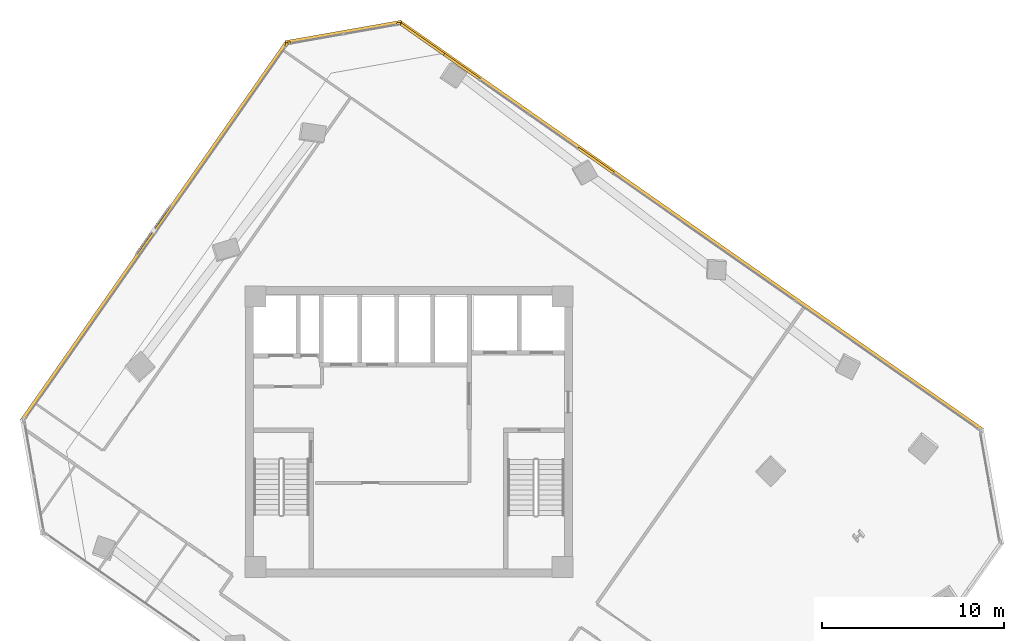
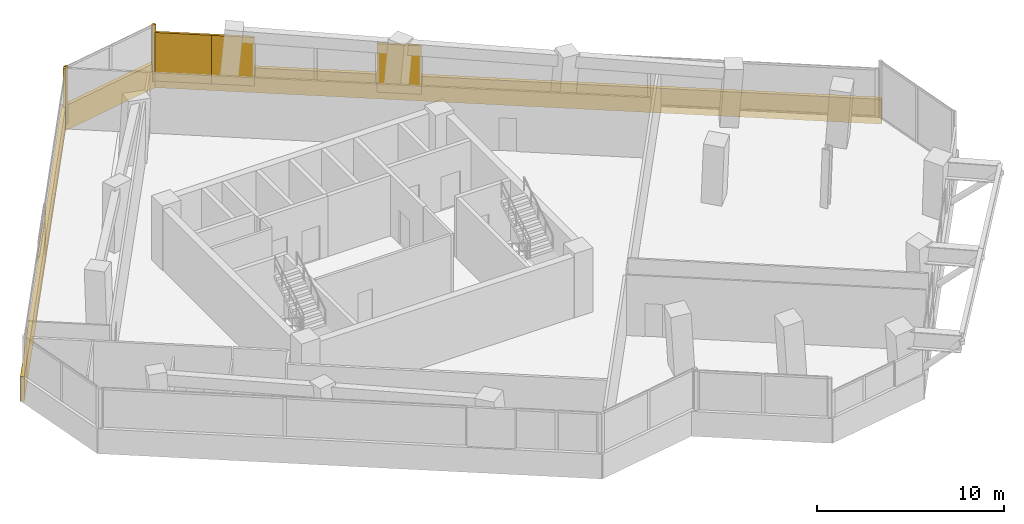
# One storey, part 21 of 21: 9 coverings, 1 shading device.
"""IFC4 building model written with IfcOpenShell, lengths in metres."""

from ifc_helpers import new_model, si_unit, direction, frame, origin, origin_2d, place, context, subcontext, project, spatial, rectangle, extrude, source, transform, mapped, material, layer, layer_set, type_object, element, save


model = new_model("IFC4")

# Units and contexts
model_context = context("Model", 3, precision=1e-05, world=origin(), true_north=direction((0.0, 1.0)))
body_context = subcontext(model_context, "Body", "Model", "MODEL_VIEW")
ifc_project = project(units=[si_unit("LENGTHUNIT", "METRE"), si_unit("AREAUNIT", "SQUARE_METRE"), si_unit("VOLUMEUNIT", "CUBIC_METRE"), si_unit("PLANEANGLEUNIT", "RADIAN"), si_unit("MASSUNIT", "GRAM", prefix="KILO")], contexts=[model_context])

# Site, building, storey
site_placement = place(None, origin())
site = spatial("IfcSite", under=ifc_project, at=site_placement, CompositionType="ELEMENT")
building_placement = place(site_placement, origin())
building = spatial("IfcBuilding", under=site, at=building_placement, Name="Torre Montelarca", CompositionType="ELEMENT")
storey_placement = place(building_placement, frame((0.0, 0.0, 200.199951171875)))
storey = spatial("IfcBuildingStorey", under=building, at=storey_placement, Name="L45", CompositionType="ELEMENT", Elevation=200.199951171875)

# Coverings
ifc_material_1 = material(Name="Bush-hammered warm white precast concrete C45/55", Category="concrete")
ifc_layer_1 = layer(ifc_material_1, 0.139892578125, Name="Bush-hammered warm white precast concrete C45/55", Category="concrete")
ifc_layer_set_1 = layer_set([ifc_layer_1], Name="Bush-hammered warm white precast concrete C45/55")
covering_type = type_object("IfcCoveringType", Name="COV-TRAY-CLAD", PredefinedType="CLADDING", material=ifc_layer_set_1)
shared_shape_1 = source(origin(), body_context, "Body", "SweptSolid", [
    extrude(rectangle(XDim=6.48388671875, YDim=0.219970703125, at=origin_2d()), origin(), (0.0, 0.0, 1.0), 1.6201171875),
])
covering_1_placement = place(storey_placement, frame((14.393310546875, 53.97998046875, -0.449951171875), z_axis=(0.0, 0.0, 1.0), x_axis=(-0.984807449937, -0.17364989648, 0.0)))
element("IfcCovering", 1, at=covering_1_placement, inside=storey, type_object=covering_type, Name="L45 Architectural White Spandrel Tray Band TRYBOT-09", PredefinedType="CLADDING", context=body_context, shape_type="MappedRepresentation", body=[
    mapped(shared_shape_1, transform((0.0, 0.0, 0.0), scale=1.0)),
])
shared_shape_2 = source(origin(), body_context, "Body", "SweptSolid", [
    extrude(rectangle(XDim=25.52001953125, YDim=0.219970703125, at=origin_2d()), origin(), (0.0, 0.0, 1.0), 1.6201171875),
])
covering_2_placement = place(storey_placement, frame((3.99462890625, 43.03662109375, -0.449951171875), z_axis=(0.0, 0.0, 1.0), x_axis=(-0.57357500666, -0.819153045367, 0.0)))
element("IfcCovering", 2, at=covering_2_placement, inside=storey, type_object=covering_type, Name="L45 Architectural White Spandrel Tray Band TRYBOT-10", PredefinedType="CLADDING", context=body_context, shape_type="MappedRepresentation", body=[
    mapped(shared_shape_2, transform((0.0, 0.0, 0.0), scale=1.0)),
])

# Shading device
ifc_material_2 = material(Name="Architectural perforated terracotta ceramic", Category="masonry")
ifc_layer_2 = layer(ifc_material_2, 0.080078125, Name="Architectural perforated terracotta ceramic", Category="masonry")
ifc_layer_set_2 = layer_set([ifc_layer_2], Name="Architectural perforated terracotta ceramic")
shading_device_type = type_object("IfcShadingDeviceType", Name="SHD-JALOUSIE-1", PredefinedType="JALOUSIE", material=ifc_layer_set_2)
shared_shape_3 = source(origin(), body_context, "Body", "SweptSolid", [
    extrude(rectangle(XDim=3.199951171875, YDim=0.10009765625, at=origin_2d()), origin(), (0.0, 0.0, 1.0), 1.25),
])
shading_device_placement = place(storey_placement, frame((3.904541015625, 43.099609375, -0.0048828125), z_axis=(0.0, 0.0, 1.0), x_axis=(-0.57357500666, -0.819153045367, 0.0)))
element("IfcShadingDevice", 3, at=shading_device_placement, inside=storey, type_object=shading_device_type, Name="L45 Facade Solar Shading Device E10", PredefinedType="JALOUSIE", context=body_context, shape_type="MappedRepresentation", body=[
    mapped(shared_shape_3, transform((0.0, 0.0, 0.0), scale=1.0)),
])

# Coverings
shared_shape_4 = source(origin(), body_context, "Body", "SweptSolid", [
    extrude(rectangle(XDim=0.199951171875, YDim=0.139892578125, at=origin_2d()), origin(), (0.0, 0.0, 1.0), 3.719970703125),
])
for number, where, z_axis, x_axis, name in (
    (4, (17.423095703125, 54.453369140625, 0.0), (0.0, 0.0, 1.0), (-0.984808359153, -0.173644740038, 0.0), "L45 Architectural Column Pier Cladding E09-1"),
    (5, (11.384033203125, 53.388671875, 0.0), (0.0, 0.0, 1.0), (-0.984808359153, -0.173644740038, 0.0), "L45 Architectural Column Pier Cladding E09-2"),
    (6, (11.26171875, 53.310546875, 0.0), (0.0, 0.0, 1.0), (-0.573572147273, -0.819155047517, 0.0), "L45 Architectural Column Pier Cladding E10-1"),
):
    element("IfcCovering", number, at=place(storey_placement, frame(where, z_axis=z_axis, x_axis=x_axis)), inside=storey, type_object=covering_type, Name=name, PredefinedType="CLADDING", context=body_context, shape_type="MappedRepresentation", body=[
        mapped(shared_shape_4, transform((0.0, 0.0, 0.0), scale=1.0)),
    ])
shared_shape_5 = source(origin(), body_context, "Body", "SweptSolid", [
    extrude(rectangle(XDim=39.219970703125, YDim=0.219970703125, at=origin_2d()), origin(), (0.0, 0.0, 1.0), 1.6201171875),
])
covering_3_placement = place(storey_placement, frame((33.518798828125, 43.32421875, -0.449951171875), z_axis=(0.0, 0.0, 1.0), x_axis=(-0.819152044289, 0.573576436351, 0.0)))
element("IfcCovering", 7, at=covering_3_placement, inside=storey, type_object=covering_type, Name="L45 Architectural White Spandrel Tray Band TRYBOT-08", PredefinedType="CLADDING", context=body_context, shape_type="MappedRepresentation", body=[
    mapped(shared_shape_5, transform((0.0, 0.0, 0.0), scale=1.0)),
])
shared_shape_6 = source(origin(), body_context, "Body", "SweptSolid", [
    extrude(rectangle(XDim=2.392822265625, YDim=0.139892578125, at=origin_2d()), origin(), (0.0, 0.0, 1.0), 3.175048828125),
])
covering_4_placement = place(storey_placement, frame((28.281005859375, 46.91845703125, 0.0), z_axis=(0.0, 0.0, 1.0), x_axis=(-0.819154046443, 0.573573576968, 0.0)))
element("IfcCovering", 8, at=covering_4_placement, inside=storey, type_object=covering_type, Name="L45 Architectural Column Pier Cladding E08-2", PredefinedType="CLADDING", context=body_context, shape_type="MappedRepresentation", body=[
    mapped(shared_shape_6, transform((0.0, 0.0, 0.0), scale=1.0)),
])
shared_shape_7 = source(origin(), body_context, "Body", "SweptSolid", [
    extrude(rectangle(XDim=2.399169921875, YDim=0.139892578125, at=origin_2d()), origin(), (0.0, 0.0, 1.0), 3.175048828125),
])
covering_5_placement = place(storey_placement, frame((20.9130859375, 52.07763671875, 0.0), z_axis=(0.0, 0.0, 1.0), x_axis=(-0.819154046443, 0.573573576968, 0.0)))
element("IfcCovering", 9, at=covering_5_placement, inside=storey, type_object=covering_type, Name="L45 Architectural Column Pier Cladding E08-3", PredefinedType="CLADDING", context=body_context, shape_type="MappedRepresentation", body=[
    mapped(shared_shape_7, transform((0.0, 0.0, 0.0), scale=1.0)),
])
shared_shape_8 = source(origin(), body_context, "Body", "SweptSolid", [
    extrude(rectangle(XDim=3.087646484375, YDim=0.139892578125, at=origin_2d()), origin(), (0.0, 0.0, 1.0), 3.175048828125),
])
covering_6_placement = place(storey_placement, frame((18.74755859375, 53.59375, 0.0), z_axis=(0.0, 0.0, 1.0), x_axis=(-0.819154046443, 0.573573576968, 0.0)))
element("IfcCovering", 10, at=covering_6_placement, inside=storey, type_object=covering_type, Name="L45 Architectural Column Pier Cladding E08-4", PredefinedType="CLADDING", context=body_context, shape_type="MappedRepresentation", body=[
    mapped(shared_shape_8, transform((0.0, 0.0, 0.0), scale=1.0)),
])

save(model, "model.ifc")
